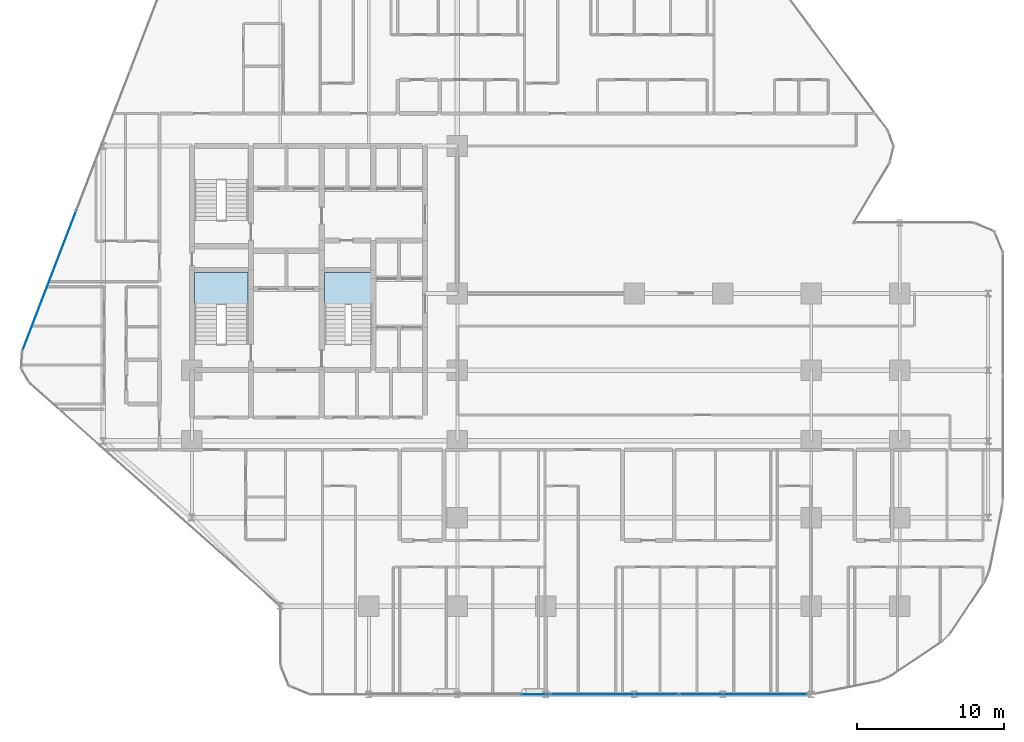
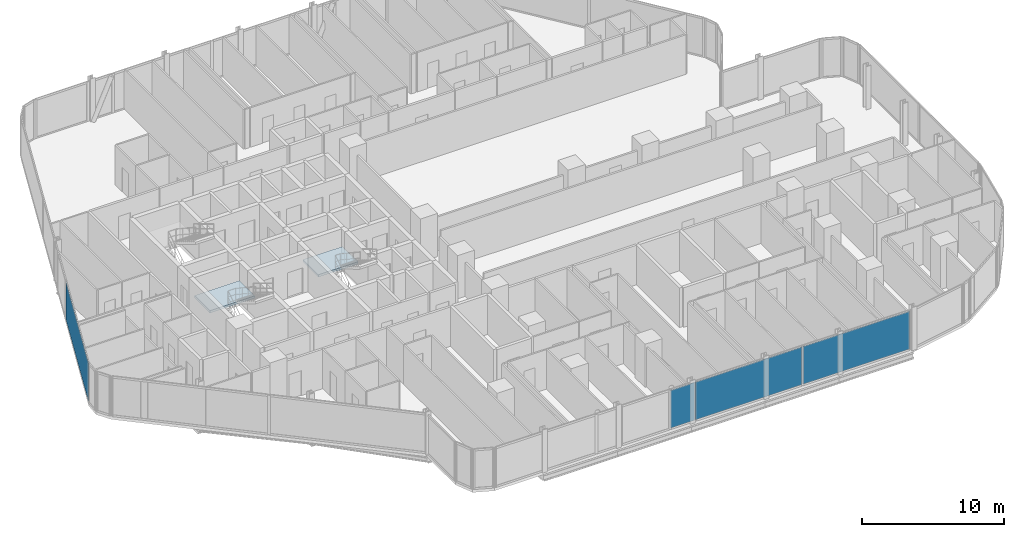
# One storey, part 21 of 33: 4 plates, 2 slabs, 5 elements without a shape of their own.
"""IFC4 building model written with IfcOpenShell, lengths in metres."""

import ifcopenshell
import ifcopenshell.guid

model = None  # the IFC model being written
_history = None  # IfcOwnerHistory: only IFC2X3 demands one
_inside = {}  # id of a spatial element -> (the spatial element, [elements in it])
_under = {}  # id of a project, library or spatial element -> (it, [spatial elements below it])
_declared = {}  # id of a project -> (the project, [libraries it declares])
_typed = {}  # id of a type object -> (the type object, [elements of that type])
_made_of = {}  # id of a material, layer set ... -> (it, [elements and type objects made of it])


def new_model(schema):
    """Start an empty IFC model of exactly this schema.

    Asked for "IFC4X3", IfcOpenShell would pick the latest addendum, in which some entities
    have other attributes; the version numbers below select the first issue.
    IFC2X3 requires an IfcOwnerHistory on every rooted entity: one is made here for all.
    """
    global model, _history
    if schema == "IFC4X3":
        model = ifcopenshell.file(schema_version=(4, 3, 0, 0))
    else:
        model = ifcopenshell.file(schema=schema)
    _inside.clear()
    _under.clear()
    _declared.clear()
    _typed.clear()
    _made_of.clear()
    _history = None
    if model.schema == "IFC2X3":
        org = make("IfcOrganization", Name="unknown")
        user = make(
            "IfcPersonAndOrganization",
            ThePerson=make("IfcPerson", FamilyName="unknown"),
            TheOrganization=org,
        )
        app = make(
            "IfcApplication",
            ApplicationDeveloper=org,
            Version="unknown",
            ApplicationFullName="unknown",
            ApplicationIdentifier="unknown",
        )
        _history = make(
            "IfcOwnerHistory",
            OwningUser=user,
            OwningApplication=app,
            ChangeAction="ADDED",
            CreationDate=0,
        )
    return model


def make(cls, **values):
    """One entity of the class cls with the attributes given. An attribute that is None is left unset."""
    return model.create_entity(
        cls, **{name: value for name, value in values.items() if value is not None}
    )


def rooted(cls, **values):
    """An entity with a GlobalId (a new one), such as an element, a storey or a relation."""
    return make(cls, GlobalId=ifcopenshell.guid.new(), OwnerHistory=_history, **values)


def si_unit(unit_type, name, prefix=None):
    """IfcSIUnit, for example si_unit("LENGTHUNIT", "METRE", prefix="MILLI")."""
    return make("IfcSIUnit", UnitType=unit_type, Prefix=prefix, Name=name)


def assignment(units):
    """IfcUnitAssignment: the units of a project."""
    return None if units is None else make("IfcUnitAssignment", Units=units)


def point(xyz):
    """IfcCartesianPoint."""
    return None if xyz is None else make("IfcCartesianPoint", Coordinates=xyz)


def direction(xyz):
    """IfcDirection."""
    return None if xyz is None else make("IfcDirection", DirectionRatios=xyz)


def frame(location, z_axis=None, x_axis=None):
    """IfcAxis2Placement3D, a coordinate frame: its origin and axes. An axis left out is left unset."""
    return make(
        "IfcAxis2Placement3D",
        Location=point(location),
        Axis=direction(z_axis),
        RefDirection=direction(x_axis),
    )


def frame_2d(location, x_axis=None):
    """IfcAxis2Placement2D, a coordinate frame in the plane: its origin and x axis."""
    return make(
        "IfcAxis2Placement2D", Location=point(location), RefDirection=direction(x_axis)
    )


def origin():
    """The frame at (0, 0, 0) with its axes left unset."""
    return frame((0.0, 0.0, 0.0))


def origin_2d():
    """The frame at (0, 0) in the plane with its x axis left unset."""
    return frame_2d((0.0, 0.0))


def place(relative_to, where):
    """IfcLocalPlacement: puts the frame where relative to a parent placement (None: the world)."""
    return make(
        "IfcLocalPlacement", PlacementRelTo=relative_to, RelativePlacement=where
    )


def context(
    kind, dimensions, precision=None, world=None, true_north=None, identifier=None
):
    """IfcGeometricRepresentationContext, for example the 3D "Model" context."""
    return make(
        "IfcGeometricRepresentationContext",
        ContextIdentifier=identifier,
        ContextType=kind,
        CoordinateSpaceDimension=dimensions,
        Precision=precision,
        WorldCoordinateSystem=world,
        TrueNorth=true_north,
    )


def subcontext(parent, identifier, kind, view, scale=None):
    """IfcGeometricRepresentationSubContext, for example "Body" below "Model"."""
    return make(
        "IfcGeometricRepresentationSubContext",
        ContextIdentifier=identifier,
        ContextType=kind,
        ParentContext=parent,
        TargetScale=scale,
        TargetView=view,
    )


def project(units=None, contexts=None):
    """IfcProject with its units and contexts."""
    return rooted(
        "IfcProject",
        Name="project",
        RepresentationContexts=contexts,
        UnitsInContext=assignment(units),
    )


def spatial(cls, under=None, at=None, **own):
    """A site, building, storey or space (cls), placed at a placement, below another one or the project."""
    s = rooted(cls, ObjectPlacement=at, **own)
    if under is not None:
        _under.setdefault(under.id(), (under, []))[1].append(s)
    return s


def polyline(points):
    """IfcPolyline through the points."""
    return make("IfcPolyline", Points=[point(p) for p in points])


def profile(cls, at=None, kind="AREA", **sizes):
    """A parametric profile (cls). Its sizes go by their IFC names, for example OverallWidth=200.0."""
    return make(cls, ProfileType=kind, Position=at, **sizes)


def rectangle(**sizes):
    """IfcRectangleProfileDef."""
    return profile("IfcRectangleProfileDef", **sizes)


def outline(outer, holes=None, kind="AREA"):
    """IfcArbitraryClosedProfileDef: a profile drawn as a closed curve; with holes, ...WithVoids."""
    if holes is None:
        return make("IfcArbitraryClosedProfileDef", ProfileType=kind, OuterCurve=outer)
    return make(
        "IfcArbitraryProfileDefWithVoids",
        ProfileType=kind,
        OuterCurve=outer,
        InnerCurves=holes,
    )


def extrude(swept, where, along, depth):
    """IfcExtrudedAreaSolid: the profile swept, set in the frame where, extruded along a direction by depth."""
    return make(
        "IfcExtrudedAreaSolid",
        SweptArea=swept,
        Position=where,
        ExtrudedDirection=direction(along),
        Depth=depth,
    )


def shape(context_of_items, identifier, shape_type, items):
    """IfcShapeRepresentation: the items that make up one representation, for example the "Body"."""
    return make(
        "IfcShapeRepresentation",
        ContextOfItems=context_of_items,
        RepresentationIdentifier=identifier,
        RepresentationType=shape_type,
        Items=items,
    )


def material(Name=None, Category=None):
    """IfcMaterial."""
    return make("IfcMaterial", Name=Name, Category=Category)


def layer(
    of_material, thickness, ventilated=None, Name=None, Category=None, Priority=None
):
    """IfcMaterialLayer: one layer of a wall or slab, of a material (None: an air gap)."""
    return make(
        "IfcMaterialLayer",
        Material=of_material,
        LayerThickness=thickness,
        IsVentilated=ventilated,
        Name=Name,
        Category=Category,
        Priority=Priority,
    )


def layer_set(layers, Name=None):
    """IfcMaterialLayerSet."""
    return make("IfcMaterialLayerSet", MaterialLayers=layers, LayerSetName=Name)


def made_of(thing, what):
    """Note that an element or type object is made of a material, layer set ...; save() writes the relation."""
    if what is not None:
        _made_of.setdefault(what.id(), (what, []))[1].append(thing)
    return thing


def type_object(cls, material=None, **own):
    """A type object (cls), such as IfcWallType, which elements share."""
    return made_of(rooted(cls, **own), material)


def element(
    cls,
    number,
    at=None,
    inside=None,
    cuts=None,
    type_object=None,
    material=None,
    context=None,
    identifier="Body",
    shape_type=None,
    held_by="IfcProductDefinitionShape",
    body=None,
    shapes=None,
    **own,
):
    """One element of the class cls, such as IfcWall. Its Tag is "e" and its number.

    at: its placement. inside: the storey or other place that contains it. cuts: it is an
    opening in that element (IfcRelVoidsElement). A single representation is given by context,
    identifier, shape_type and body (its items); several are given by shapes. held_by: the class
    of the entity that holds the representations. save() writes the other relations.
    """
    e = rooted(cls, Tag="e%d" % number, ObjectPlacement=at, **own)
    if body is not None:
        shapes = [shape(context, identifier, shape_type, body)]
    if shapes is not None:
        e.Representation = make(held_by, Representations=shapes)
    if inside is not None:
        _inside.setdefault(inside.id(), (inside, []))[1].append(e)
    if cuts is not None:
        rooted(
            "IfcRelVoidsElement", RelatingBuildingElement=cuts, RelatedOpeningElement=e
        )
    if type_object is not None:
        _typed.setdefault(type_object.id(), (type_object, []))[1].append(e)
    return made_of(e, material)


def aggregate(whole, parts):
    """IfcRelAggregates: a whole, such as a stair, and the parts it consists of."""
    return rooted("IfcRelAggregates", RelatingObject=whole, RelatedObjects=parts)


def save(model, path):
    """Write the relations noted so far, then the file.

    IfcRelAggregates (storeys below a building ...), IfcRelContainedInSpatialStructure (elements
    in a storey), IfcRelDefinesByType, IfcRelAssociatesMaterial and IfcRelDeclares: one each for
    every whole, place, type object, material and project.
    """
    for whole, parts in _under.values():
        aggregate(whole, parts)
    for where, things in _inside.values():
        rooted(
            "IfcRelContainedInSpatialStructure",
            RelatedElements=things,
            RelatingStructure=where,
        )
    for kind, things in _typed.values():
        rooted("IfcRelDefinesByType", RelatedObjects=things, RelatingType=kind)
    for what, things in _made_of.values():
        rooted("IfcRelAssociatesMaterial", RelatedObjects=things, RelatingMaterial=what)
    for by, libraries in _declared.values():
        rooted("IfcRelDeclares", RelatingContext=by, RelatedDefinitions=libraries)
    model.write(path)


model = new_model("IFC4")

# Units and contexts
model_context = context("Model", 3, precision=1e-05, world=origin(), true_north=direction((0.0, 1.0)))
body_context = subcontext(model_context, "Body", "Model", "MODEL_VIEW")
ifc_project = project(units=[si_unit("LENGTHUNIT", "METRE"), si_unit("AREAUNIT", "SQUARE_METRE"), si_unit("VOLUMEUNIT", "CUBIC_METRE"), si_unit("PLANEANGLEUNIT", "RADIAN"), si_unit("MASSUNIT", "GRAM", prefix="KILO")], contexts=[model_context])

# Site, building, storey
site_placement = place(None, origin())
site = spatial("IfcSite", under=ifc_project, at=site_placement, CompositionType="ELEMENT")
building_placement = place(site_placement, origin())
building = spatial("IfcBuilding", under=site, at=building_placement, Name="Keshet Zoharim Tower", CompositionType="ELEMENT")
storey_placement = place(building_placement, frame((0.0, 0.0, 27.699951171875)))
storey = spatial("IfcBuildingStorey", under=building, at=storey_placement, Name="L05", CompositionType="ELEMENT", Elevation=27.699951171875)

# Curtain wall, plate
ifc_material_1 = material(Name="Aluminium 6063-T6", Category="aluminium")
ifc_layer_1 = layer(ifc_material_1, 0.179931640625)
ifc_layer_set_1 = layer_set([ifc_layer_1], Name="Aluminium 6063-T6")
curtain_wall_type = type_object("IfcCurtainWallType", Name="CW-SYS-01", PredefinedType="NOTDEFINED", material=ifc_layer_set_1)
curtain_wall_1_placement = place(storey_placement, origin())
curtain_wall_1 = element("IfcCurtainWall", 1, at=curtain_wall_1_placement, inside=storey, type_object=curtain_wall_type, Name="L05 Unitised Curtain Wall 04", PredefinedType="NOTDEFINED")
ifc_material_2 = material(Name="Insulated Low-E Clear Glass", Category="glass")
ifc_layer_2 = layer(ifc_material_2, 0.035888671875)
ifc_layer_set_2 = layer_set([ifc_layer_2], Name="Insulated Low-E Clear Glass")
plate_type_1 = type_object("IfcPlateType", Name="CWP-01", PredefinedType="CURTAIN_PANEL", material=ifc_layer_set_2)
plate_1_placement = place(storey_placement, frame((5.33837890625, 28.7802734375, 0.070068359375), z_axis=(0.0, 0.0, 1.0), x_axis=(0.358990003907, 0.933341404361, 0.0)))
plate_1 = element("IfcPlate", 2, at=plate_1_placement, type_object=plate_type_1, Name="CW-01 panel 1.1", PredefinedType="CURTAIN_PANEL", context=body_context, shape_type="SweptSolid", body=[
    extrude(rectangle(XDim=10.1181640625, YDim=0.035888671875, at=origin_2d()), origin(), (0.0, 0.0, 1.0), 3.2451171875),
])
aggregate(curtain_wall_1, [plate_1])

# Curtain wall, plates
curtain_wall_2_placement = place(storey_placement, origin())
curtain_wall_2 = element("IfcCurtainWall", 3, at=curtain_wall_2_placement, inside=storey, type_object=curtain_wall_type, Name="L05 Unitised Curtain Wall 26", PredefinedType="NOTDEFINED")
plate_2_placement = place(storey_placement, frame((52.400390625, 0.699951171875, 0.070068359375), z_axis=(0.0, 0.0, 1.0), x_axis=(-1.0, 0.0, 0.0)))
plate_2 = element("IfcPlate", 4, at=plate_2_placement, type_object=plate_type_1, Name="CW-01 panel 1.1", PredefinedType="CURTAIN_PANEL", context=body_context, shape_type="SweptSolid", body=[
    extrude(rectangle(XDim=8.665283203125, YDim=0.035888671875, at=origin_2d()), origin(), (0.0, 0.0, 1.0), 3.2451171875),
])
plate_3_placement = place(storey_placement, frame((43.665283203125, 0.699951171875, 0.070068359375), z_axis=(0.0, 0.0, 1.0), x_axis=(-1.0, 0.0, 0.0)))
plate_3 = element("IfcPlate", 5, at=plate_3_placement, type_object=plate_type_1, Name="CW-01 panel 2.1", PredefinedType="CURTAIN_PANEL", context=body_context, shape_type="SweptSolid", body=[
    extrude(rectangle(XDim=8.665283203125, YDim=0.035888671875, at=origin_2d()), origin(), (0.0, 0.0, 1.0), 3.2451171875),
])
aggregate(curtain_wall_2, [plate_2, plate_3])

# Curtain wall, plate
curtain_wall_3_placement = place(storey_placement, origin())
curtain_wall_3 = element("IfcCurtainWall", 6, at=curtain_wall_3_placement, inside=storey, type_object=curtain_wall_type, Name="L05 Unitised Curtain Wall 26 Part 2", PredefinedType="NOTDEFINED")
ifc_material_3 = material(Name="Insulated Aluminium Spandrel Panel", Category="aluminium")
ifc_layer_3 = layer(ifc_material_3, 0.035888671875)
ifc_layer_set_3 = layer_set([ifc_layer_3], Name="Insulated Aluminium Spandrel Panel")
plate_type_2 = type_object("IfcPlateType", Name="CWP-04", PredefinedType="CURTAIN_PANEL", material=ifc_layer_set_3)
plate_4_placement = place(storey_placement, frame((38.284912109375, 0.699951171875, 0.070068359375), z_axis=(0.0, 0.0, 1.0), x_axis=(-1.0, 0.0, 0.0)))
plate_4 = element("IfcPlate", 7, at=plate_4_placement, type_object=plate_type_2, Name="CW-01 spandrel panel 1.1", PredefinedType="CURTAIN_PANEL", context=body_context, shape_type="SweptSolid", body=[
    extrude(rectangle(XDim=1.955078125, YDim=0.035888671875, at=origin_2d()), origin(), (0.0, 0.0, 1.0), 3.2451171875),
])
aggregate(curtain_wall_3, [plate_4])

# Stair, slab
ifc_material_4 = material(Name="Concrete C50/60", Category="concrete")
stair_type = type_object("IfcStairType", Name="STR-EXIT-135", PredefinedType="HALF_TURN_STAIR", material=ifc_material_4)
stair_1_placement = place(storey_placement, origin())
stair_1 = element("IfcStair", 8, at=stair_1_placement, inside=storey, type_object=stair_type, Name="L05 Enclosed Exit Stair ST-01", PredefinedType="HALF_TURN_STAIR")
ifc_layer_4 = layer(ifc_material_4, 0.199951171875)
ifc_layer_set_4 = layer_set([ifc_layer_4], Name="Concrete C50/60")
slab_type = type_object("IfcSlabType", Name="SLB-LND-200", PredefinedType="LANDING", material=ifc_layer_set_4)
slab_1_placement = place(storey_placement, frame((0.0, 0.0, 1.650146484375)))
slab_1 = element("IfcSlab", 9, at=slab_1_placement, type_object=slab_type, Name="ST-01 landing 1", PredefinedType="LANDING", context=body_context, shape_type="SweptSolid", body=[
    extrude(outline(polyline([(15.179931640625, 27.159912109375), (18.820068359375, 27.159912109375), (18.820068359375, 29.320068359375), (15.179931640625, 29.320068359375), (15.179931640625, 27.159912109375)])), origin(), (0.0, 0.0, 1.0), 0.199951171875),
])
aggregate(stair_1, [slab_1])

stair_2_placement = place(storey_placement, origin())
stair_2 = element("IfcStair", 10, at=stair_2_placement, inside=storey, type_object=stair_type, Name="L05 Enclosed Exit Stair ST-03", PredefinedType="HALF_TURN_STAIR")
slab_2_placement = place(storey_placement, frame((0.0, 0.0, 1.650146484375)))
slab_2 = element("IfcSlab", 11, at=slab_2_placement, type_object=slab_type, Name="ST-03 landing 1", PredefinedType="LANDING", context=body_context, shape_type="SweptSolid", body=[
    extrude(outline(polyline([(23.97998046875, 27.159912109375), (27.219970703125, 27.159912109375), (27.219970703125, 29.320068359375), (23.97998046875, 29.320068359375), (23.97998046875, 27.159912109375)])), origin(), (0.0, 0.0, 1.0), 0.199951171875),
])
aggregate(stair_2, [slab_2])

save(model, "model.ifc")
